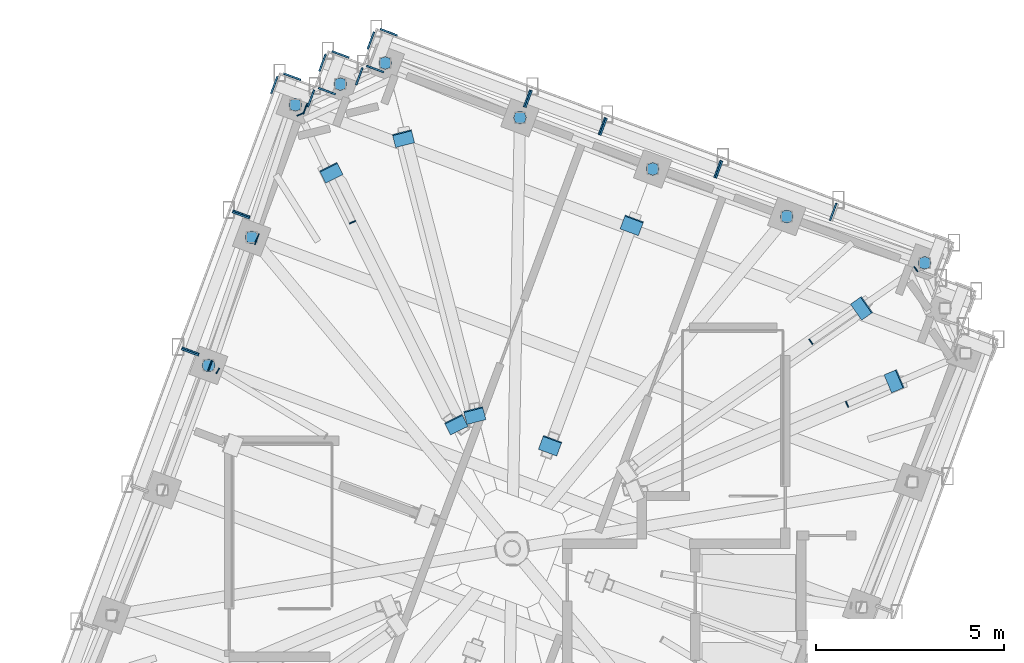
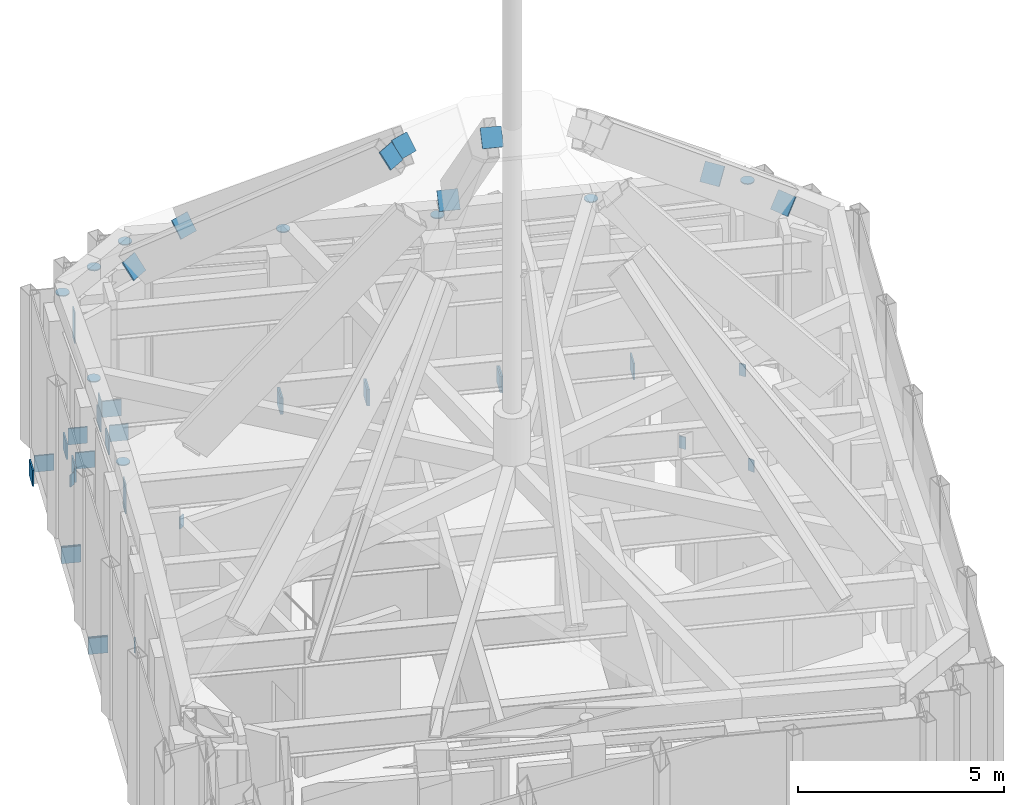
# One storey, part 11 of 14: 47 discrete accessories, 17 elements without a shape of their own.
"""IFC4 building model written with IfcOpenShell, lengths in metres."""

from ifc_helpers import new_model, si_unit, direction, frame, origin, place, context, subcontext, project, spatial, polyline, outline, extrude, material, layer, layer_set, type_object, element, aggregate, save


model = new_model("IFC4")

# Units and contexts
model_context = context("Model", 3, precision=1e-05, world=origin(), true_north=direction((0.0, 1.0)))
body_context = subcontext(model_context, "Body", "Model", "MODEL_VIEW")
ifc_project = project(units=[si_unit("LENGTHUNIT", "METRE"), si_unit("AREAUNIT", "SQUARE_METRE"), si_unit("VOLUMEUNIT", "CUBIC_METRE"), si_unit("PLANEANGLEUNIT", "RADIAN"), si_unit("MASSUNIT", "GRAM", prefix="KILO")], contexts=[model_context])

# Site, building, storey
site_placement = place(None, origin())
site = spatial("IfcSite", under=ifc_project, at=site_placement, CompositionType="ELEMENT")
building_placement = place(site_placement, origin())
building = spatial("IfcBuilding", under=site, at=building_placement, Name="Cantera Rosa Tower", CompositionType="ELEMENT")
storey_placement = place(building_placement, frame((0.0, 0.0, 374.199951171875)))
storey = spatial("IfcBuildingStorey", under=building, at=storey_placement, Name="L84", CompositionType="ELEMENT", Elevation=374.199951171875)

# Discrete accessories
ifc_material_1 = material(Name="Steel S355J2 (EN 10025-2)", Category="steel")
ifc_layer = layer(ifc_material_1, 0.030029296875)
ifc_layer_set = layer_set([ifc_layer], Name="NODE PLATE 30")
discrete_accessory_type = type_object("IfcDiscreteAccessoryType", Name="NODE PLATE 30", PredefinedType="ANCHORPLATE", material=ifc_layer_set)
discrete_accessory_1_placement = place(storey_placement, frame((0.0, 0.0, 3.345947265625)))
element("IfcDiscreteAccessory", 1, at=discrete_accessory_1_placement, inside=storey, type_object=discrete_accessory_type, Name="END PLATE RG-Z6-04B", PredefinedType="ANCHORPLATE", context=body_context, shape_type="SweptSolid", body=[
    extrude(outline(polyline([(-8.077392578125, 4.715087890625), (-8.10546875, 4.7255859375), (-7.99951171875, 5.011474609375), (-7.971435546875, 5.0009765625), (-8.077392578125, 4.715087890625)])), origin(), (0.0, 0.0, 1.0), 0.904052734375),
])
discrete_accessory_2_placement = place(storey_placement, frame((0.0, 0.0, 3.345947265625)))
element("IfcDiscreteAccessory", 2, at=discrete_accessory_2_placement, inside=storey, type_object=discrete_accessory_type, Name="END PLATE RG-Z6-05B", PredefinedType="ANCHORPLATE", context=body_context, shape_type="SweptSolid", body=[
    extrude(outline(polyline([(-6.827880859375, 8.0869140625), (-6.85595703125, 8.097412109375), (-6.75, 8.38330078125), (-6.721923828125, 8.373046875), (-6.827880859375, 8.0869140625)])), origin(), (0.0, 0.0, 1.0), 0.904052734375),
])
discrete_accessory_3_placement = place(storey_placement, frame((0.0, 0.0, 3.345947265625)))
element("IfcDiscreteAccessory", 3, at=discrete_accessory_3_placement, inside=storey, type_object=discrete_accessory_type, Name="END PLATE RG-Z6-06B", PredefinedType="ANCHORPLATE", context=body_context, shape_type="SweptSolid", body=[
    extrude(outline(polyline([(-5.5400390625, 11.56201171875), (-5.568115234375, 11.572509765625), (-5.462158203125, 11.8583984375), (-5.43408203125, 11.84814453125), (-5.5400390625, 11.56201171875)])), origin(), (0.0, 0.0, 1.0), 0.904052734375),
])

# Curtain wall, discrete accessory
ifc_material_2 = material(Name="Aluminium frame with clear glass", Category="aluminium")
curtain_wall_type = type_object("IfcCurtainWallType", Name="CW4 CROWN GLAZING", PredefinedType="NOTDEFINED", material=ifc_material_2)
curtain_wall_1_placement = place(storey_placement, origin())
curtain_wall_1 = element("IfcCurtainWall", 4, at=curtain_wall_1_placement, inside=storey, type_object=curtain_wall_type, Name="CW4 L84-01", PredefinedType="NOTDEFINED")
discrete_accessory_4_placement = place(storey_placement, frame((8.445068359375, 8.745361328125, -0.43505859375), z_axis=(-0.937742626232, 0.347330918501, 0.0), x_axis=(0.347330918501, 0.937742626232, 0.0)))
discrete_accessory_4 = element("IfcDiscreteAccessory", 5, at=discrete_accessory_4_placement, type_object=discrete_accessory_type, Name="END PLATE TE1", PredefinedType="ANCHORPLATE", context=body_context, shape_type="SweptSolid", body=[
    extrude(outline(polyline([(0.0, 0.0), (0.4800840869406107, 0.0), (0.4800840869406107, 0.47998046875), (0.0, 0.47998046875), (0.0, 0.0)])), origin(), (0.0, 0.0, -1.0), 0.0400390625),
])
aggregate(curtain_wall_1, [discrete_accessory_4])

curtain_wall_2_placement = place(storey_placement, origin())
curtain_wall_2 = element("IfcCurtainWall", 6, at=curtain_wall_2_placement, inside=storey, type_object=curtain_wall_type, Name="CW4 L84-02", PredefinedType="NOTDEFINED")
discrete_accessory_5_placement = place(storey_placement, frame((5.369384765625, 9.88525390625, -0.43505859375), z_axis=(-0.93751537431, 0.347943850259, 0.0), x_axis=(0.347943850259, 0.93751537431, 0.0)))
discrete_accessory_5 = element("IfcDiscreteAccessory", 7, at=discrete_accessory_5_placement, type_object=discrete_accessory_type, Name="END PLATE TE1", PredefinedType="ANCHORPLATE", context=body_context, shape_type="SweptSolid", body=[
    extrude(outline(polyline([(0.0, 0.0), (0.47994004600337425, 0.0), (0.47994004600337425, 0.47998046875), (0.0, 0.47998046875), (0.0, 0.0)])), origin(), (0.0, 0.0, -1.0), 0.0400390625),
])
aggregate(curtain_wall_2, [discrete_accessory_5])

# Curtain wall, discrete accessories
curtain_wall_3_placement = place(storey_placement, origin())
curtain_wall_3 = element("IfcCurtainWall", 8, at=curtain_wall_3_placement, inside=storey, type_object=curtain_wall_type, Name="CW4 L84-03", PredefinedType="NOTDEFINED")
discrete_accessory_6_placement = place(storey_placement, frame((5.611328125, 10.307373046875, -0.43505859375), z_axis=(0.937681233018, -0.347496626235, 0.0), x_axis=(-0.347496626235, -0.937681233018, 0.0)))
discrete_accessory_6 = element("IfcDiscreteAccessory", 9, at=discrete_accessory_6_placement, type_object=discrete_accessory_type, Name="END PLATE TE0", PredefinedType="ANCHORPLATE", context=body_context, shape_type="SweptSolid", body=[
    extrude(outline(polyline([(0.0, 0.0), (0.4798551533622547, 0.0), (0.4798551533622547, 0.47998046875), (0.0, 0.47998046875), (0.0, 0.0)])), origin(), (0.0, 0.0, -1.0), 0.0400390625),
])
discrete_accessory_7_placement = place(storey_placement, frame((2.2939453125, 11.02490234375, -0.43505859375), z_axis=(-0.937742626232, 0.347330918501, 0.0), x_axis=(0.347330918501, 0.937742626232, 0.0)))
discrete_accessory_7 = element("IfcDiscreteAccessory", 10, at=discrete_accessory_7_placement, type_object=discrete_accessory_type, Name="END PLATE TE1", PredefinedType="ANCHORPLATE", context=body_context, shape_type="SweptSolid", body=[
    extrude(outline(polyline([(0.0, 0.0), (0.4800840869406107, 0.0), (0.4800840869406107, 0.47998046875), (0.0, 0.47998046875), (0.0, 0.0)])), origin(), (0.0, 0.0, -1.0), 0.0400390625),
])
aggregate(curtain_wall_3, [discrete_accessory_6, discrete_accessory_7])

curtain_wall_4_placement = place(storey_placement, origin())
curtain_wall_4 = element("IfcCurtainWall", 11, at=curtain_wall_4_placement, inside=storey, type_object=curtain_wall_type, Name="CW4 L84-04", PredefinedType="NOTDEFINED")
discrete_accessory_8_placement = place(storey_placement, frame((2.53564453125, 11.447265625, -0.43505859375), z_axis=(0.937742626232, -0.347330918501, 0.0), x_axis=(-0.347330918501, -0.937742626232, 0.0)))
discrete_accessory_8 = element("IfcDiscreteAccessory", 12, at=discrete_accessory_8_placement, type_object=discrete_accessory_type, Name="END PLATE TE0", PredefinedType="ANCHORPLATE", context=body_context, shape_type="SweptSolid", body=[
    extrude(outline(polyline([(0.0, 0.0), (0.4800840869406107, 0.0), (0.4800840869406107, 0.47998046875), (0.0, 0.47998046875), (0.0, 0.0)])), origin(), (0.0, 0.0, -1.0), 0.0400390625),
])
discrete_accessory_9_placement = place(storey_placement, frame((0.299560546875, 11.763916015625, -0.43505859375), z_axis=(-0.937742626232, 0.347330918501, 0.0), x_axis=(0.347330918501, 0.937742626232, 0.0)))
discrete_accessory_9 = element("IfcDiscreteAccessory", 13, at=discrete_accessory_9_placement, type_object=discrete_accessory_type, Name="END PLATE TE1", PredefinedType="ANCHORPLATE", context=body_context, shape_type="SweptSolid", body=[
    extrude(outline(polyline([(0.0, 0.0), (0.4800840869406107, 0.0), (0.4800840869406107, 0.47998046875), (0.0, 0.47998046875), (0.0, 0.0)])), origin(), (0.0, 0.0, -1.0), 0.0400390625),
])
aggregate(curtain_wall_4, [discrete_accessory_8, discrete_accessory_9])

curtain_wall_5_placement = place(storey_placement, origin())
curtain_wall_5 = element("IfcCurtainWall", 14, at=curtain_wall_5_placement, inside=storey, type_object=curtain_wall_type, Name="CW4 L84-05", PredefinedType="NOTDEFINED")
discrete_accessory_10_placement = place(storey_placement, frame((0.541259765625, 12.186279296875, -0.43505859375), z_axis=(0.937742626232, -0.347330918501, 0.0), x_axis=(-0.347330918501, -0.937742626232, 0.0)))
discrete_accessory_10 = element("IfcDiscreteAccessory", 15, at=discrete_accessory_10_placement, type_object=discrete_accessory_type, Name="END PLATE TE0", PredefinedType="ANCHORPLATE", context=body_context, shape_type="SweptSolid", body=[
    extrude(outline(polyline([(0.0, 0.0), (0.4800840869406107, 0.0), (0.4800840869406107, 0.47998046875), (0.0, 0.47998046875), (0.0, 0.0)])), origin(), (0.0, 0.0, -1.0), 0.0400390625),
])
discrete_accessory_11_placement = place(storey_placement, frame((-3.857421875, 13.304443359375, -0.43505859375), z_axis=(-0.93751537431, 0.347943850259, 0.0), x_axis=(0.347943850259, 0.93751537431, 0.0)))
discrete_accessory_11 = element("IfcDiscreteAccessory", 16, at=discrete_accessory_11_placement, type_object=discrete_accessory_type, Name="END PLATE TE1", PredefinedType="ANCHORPLATE", context=body_context, shape_type="SweptSolid", body=[
    extrude(outline(polyline([(0.0, 0.0), (0.47994004600337425, 0.0), (0.47994004600337425, 0.47998046875), (0.0, 0.47998046875), (0.0, 0.0)])), origin(), (0.0, 0.0, -1.0), 0.0400390625),
])
aggregate(curtain_wall_5, [discrete_accessory_10, discrete_accessory_11])

curtain_wall_6_placement = place(storey_placement, origin())
curtain_wall_6 = element("IfcCurtainWall", 17, at=curtain_wall_6_placement, inside=storey, type_object=curtain_wall_type, Name="CW4 L84-06", PredefinedType="NOTDEFINED")
discrete_accessory_12_placement = place(storey_placement, frame((-3.497802734375, 13.843017578125, -0.43505859375), z_axis=(0.347330918501, 0.937742626232, 0.0), x_axis=(0.937742626232, -0.347330918501, 0.0)))
discrete_accessory_12 = element("IfcDiscreteAccessory", 18, at=discrete_accessory_12_placement, type_object=discrete_accessory_type, Name="END PLATE TE0", PredefinedType="ANCHORPLATE", context=body_context, shape_type="SweptSolid", body=[
    extrude(outline(polyline([(0.0, 0.0), (0.4800840869406107, 0.0), (0.4800840869406107, 0.47998046875), (0.0, 0.47998046875), (0.0, 0.0)])), origin(), (0.0, 0.0, -1.0), 0.0400390625),
])
discrete_accessory_13_placement = place(storey_placement, frame((-3.4228515625, 12.66357421875, -0.43505859375), z_axis=(-0.347330918501, -0.937742626232, 0.0), x_axis=(-0.937742626232, 0.347330918501, 0.0)))
discrete_accessory_13 = element("IfcDiscreteAccessory", 19, at=discrete_accessory_13_placement, type_object=discrete_accessory_type, Name="END PLATE TE1", PredefinedType="ANCHORPLATE", context=body_context, shape_type="SweptSolid", body=[
    extrude(outline(polyline([(0.0, 0.0), (0.4800840869406107, 0.0), (0.4800840869406107, 0.47998046875), (0.0, 0.47998046875), (0.0, 0.0)])), origin(), (0.0, 0.0, -1.0), 0.0400390625),
])
aggregate(curtain_wall_6, [discrete_accessory_12, discrete_accessory_13])

curtain_wall_7_placement = place(storey_placement, origin())
curtain_wall_7 = element("IfcCurtainWall", 20, at=curtain_wall_7_placement, inside=storey, type_object=curtain_wall_type, Name="CW4 L84-07", PredefinedType="NOTDEFINED")
discrete_accessory_14_placement = place(storey_placement, frame((-3.962890625, 12.7890625, -0.43505859375), z_axis=(0.937576914778, -0.347777987911, 0.0), x_axis=(-0.347777987911, -0.937576914778, 0.0)))
discrete_accessory_14 = element("IfcDiscreteAccessory", 21, at=discrete_accessory_14_placement, type_object=discrete_accessory_type, Name="END PLATE TE0", PredefinedType="ANCHORPLATE", context=body_context, shape_type="SweptSolid", body=[
    extrude(outline(polyline([(0.0, 0.0), (0.4801689391068604, 0.0), (0.4801689391068604, 0.47998046875), (0.0, 0.47998046875), (0.0, 0.0)])), origin(), (0.0, 0.0, -1.0), 0.0400390625),
])
discrete_accessory_15_placement = place(storey_placement, frame((-5.142578125, 12.714111328125, -0.43505859375), z_axis=(-0.937742626232, 0.347330918501, 0.0), x_axis=(0.347330918501, 0.937742626232, 0.0)))
discrete_accessory_15 = element("IfcDiscreteAccessory", 22, at=discrete_accessory_15_placement, type_object=discrete_accessory_type, Name="END PLATE TE1", PredefinedType="ANCHORPLATE", context=body_context, shape_type="SweptSolid", body=[
    extrude(outline(polyline([(0.0, 0.0), (0.4800840869406107, 0.0), (0.4800840869406107, 0.47998046875), (0.0, 0.47998046875), (0.0, 0.0)])), origin(), (0.0, 0.0, -1.0), 0.0400390625),
])
aggregate(curtain_wall_7, [discrete_accessory_14, discrete_accessory_15])

curtain_wall_8_placement = place(storey_placement, origin())
curtain_wall_8 = element("IfcCurtainWall", 23, at=curtain_wall_8_placement, inside=storey, type_object=curtain_wall_type, Name="CW4 L84-08", PredefinedType="NOTDEFINED")
discrete_accessory_16_placement = place(storey_placement, frame((-4.782958984375, 13.252685546875, -0.43505859375), z_axis=(0.347330918501, 0.937742626232, 0.0), x_axis=(0.937742626232, -0.347330918501, 0.0)))
discrete_accessory_16 = element("IfcDiscreteAccessory", 24, at=discrete_accessory_16_placement, type_object=discrete_accessory_type, Name="END PLATE TE0", PredefinedType="ANCHORPLATE", context=body_context, shape_type="SweptSolid", body=[
    extrude(outline(polyline([(0.0, 0.0), (0.4800840869406107, 0.0), (0.4800840869406107, 0.47998046875), (0.0, 0.47998046875), (0.0, 0.0)])), origin(), (0.0, 0.0, -1.0), 0.0400390625),
])
discrete_accessory_17_placement = place(storey_placement, frame((-4.7080078125, 12.0732421875, -0.43505859375), z_axis=(-0.347330918501, -0.937742626232, 0.0), x_axis=(-0.937742626232, 0.347330918501, 0.0)))
discrete_accessory_17 = element("IfcDiscreteAccessory", 25, at=discrete_accessory_17_placement, type_object=discrete_accessory_type, Name="END PLATE TE1", PredefinedType="ANCHORPLATE", context=body_context, shape_type="SweptSolid", body=[
    extrude(outline(polyline([(0.0, 0.0), (0.4800840869406107, 0.0), (0.4800840869406107, 0.47998046875), (0.0, 0.47998046875), (0.0, 0.0)])), origin(), (0.0, 0.0, -1.0), 0.0400390625),
])
aggregate(curtain_wall_8, [discrete_accessory_16, discrete_accessory_17])

curtain_wall_9_placement = place(storey_placement, origin())
curtain_wall_9 = element("IfcCurtainWall", 26, at=curtain_wall_9_placement, inside=storey, type_object=curtain_wall_type, Name="CW4 L84-09", PredefinedType="NOTDEFINED")
discrete_accessory_18_placement = place(storey_placement, frame((-5.248291015625, 12.19873046875, -0.43505859375), z_axis=(0.937681233018, -0.347496626235, 0.0), x_axis=(-0.347496626235, -0.937681233018, 0.0)))
discrete_accessory_18 = element("IfcDiscreteAccessory", 27, at=discrete_accessory_18_placement, type_object=discrete_accessory_type, Name="END PLATE TE0", PredefinedType="ANCHORPLATE", context=body_context, shape_type="SweptSolid", body=[
    extrude(outline(polyline([(0.0, 0.0), (0.4798551533622547, 0.0), (0.4798551533622547, 0.47998046875), (0.0, 0.47998046875), (0.0, 0.0)])), origin(), (0.0, 0.0, -1.0), 0.0400390625),
])
discrete_accessory_19_placement = place(storey_placement, frame((-6.427734375, 12.1240234375, -0.43505859375), z_axis=(-0.937681233018, 0.347496626235, 0.0), x_axis=(0.347496626235, 0.937681233018, 0.0)))
discrete_accessory_19 = element("IfcDiscreteAccessory", 28, at=discrete_accessory_19_placement, type_object=discrete_accessory_type, Name="END PLATE TE1", PredefinedType="ANCHORPLATE", context=body_context, shape_type="SweptSolid", body=[
    extrude(outline(polyline([(0.0, 0.0), (0.4798551533622547, 0.0), (0.4798551533622547, 0.47998046875), (0.0, 0.47998046875), (0.0, 0.0)])), origin(), (0.0, 0.0, -1.0), 0.0400390625),
])
aggregate(curtain_wall_9, [discrete_accessory_18, discrete_accessory_19])

curtain_wall_10_placement = place(storey_placement, origin())
curtain_wall_10 = element("IfcCurtainWall", 29, at=curtain_wall_10_placement, inside=storey, type_object=curtain_wall_type, Name="CW4 L84-10", PredefinedType="NOTDEFINED")
discrete_accessory_20_placement = place(storey_placement, frame((-6.068115234375, 12.66259765625, -0.43505859375), z_axis=(0.347330918501, 0.937742626232, 0.0), x_axis=(0.937742626232, -0.347330918501, 0.0)))
discrete_accessory_20 = element("IfcDiscreteAccessory", 30, at=discrete_accessory_20_placement, type_object=discrete_accessory_type, Name="END PLATE TE0", PredefinedType="ANCHORPLATE", context=body_context, shape_type="SweptSolid", body=[
    extrude(outline(polyline([(0.0, 0.0), (0.4800840869406107, 0.0), (0.4800840869406107, 0.47998046875), (0.0, 0.47998046875), (0.0, 0.0)])), origin(), (0.0, 0.0, -1.0), 0.0400390625),
])
discrete_accessory_21_placement = place(storey_placement, frame((-6.99755859375, 8.773193359375, -0.43505859375), z_axis=(-0.347496626235, -0.937681233018, 0.0), x_axis=(-0.937681233018, 0.347496626235, 0.0)))
discrete_accessory_21 = element("IfcDiscreteAccessory", 31, at=discrete_accessory_21_placement, type_object=discrete_accessory_type, Name="END PLATE TE1", PredefinedType="ANCHORPLATE", context=body_context, shape_type="SweptSolid", body=[
    extrude(outline(polyline([(0.0, 0.0), (0.4798551533622547, 0.0), (0.4798551533622547, 0.47998046875), (0.0, 0.47998046875), (0.0, 0.0)])), origin(), (0.0, 0.0, -1.0), 0.0400390625),
])
aggregate(curtain_wall_10, [discrete_accessory_20, discrete_accessory_21])

curtain_wall_11_placement = place(storey_placement, origin())
curtain_wall_11 = element("IfcCurtainWall", 32, at=curtain_wall_11_placement, inside=storey, type_object=curtain_wall_type, Name="CW4 L84-11", PredefinedType="NOTDEFINED")
discrete_accessory_22_placement = place(storey_placement, frame((-7.419921875, 9.014892578125, -0.43505859375), z_axis=(0.347330918501, 0.937742626232, 0.0), x_axis=(0.937742626232, -0.347330918501, 0.0)))
discrete_accessory_22 = element("IfcDiscreteAccessory", 33, at=discrete_accessory_22_placement, type_object=discrete_accessory_type, Name="END PLATE TE0", PredefinedType="ANCHORPLATE", context=body_context, shape_type="SweptSolid", body=[
    extrude(outline(polyline([(0.0, 0.0), (0.4800840869406107, 0.0), (0.4800840869406107, 0.47998046875), (0.0, 0.47998046875), (0.0, 0.0)])), origin(), (0.0, 0.0, -1.0), 0.0400390625),
])
discrete_accessory_23_placement = place(storey_placement, frame((-8.34912109375, 5.12548828125, -0.43505859375), z_axis=(-0.347777987911, -0.937576914778, 0.0), x_axis=(-0.937576914778, 0.347777987911, 0.0)))
discrete_accessory_23 = element("IfcDiscreteAccessory", 34, at=discrete_accessory_23_placement, type_object=discrete_accessory_type, Name="END PLATE TE1", PredefinedType="ANCHORPLATE", context=body_context, shape_type="SweptSolid", body=[
    extrude(outline(polyline([(0.0, 0.0), (0.4801689391068604, 0.0), (0.4801689391068604, 0.47998046875), (0.0, 0.47998046875), (0.0, 0.0)])), origin(), (0.0, 0.0, -1.0), 0.0400390625),
])
aggregate(curtain_wall_11, [discrete_accessory_22, discrete_accessory_23])

# Curtain wall, discrete accessory
curtain_wall_12_placement = place(storey_placement, origin())
curtain_wall_12 = element("IfcCurtainWall", 35, at=curtain_wall_12_placement, inside=storey, type_object=curtain_wall_type, Name="CW4 L84-12", PredefinedType="NOTDEFINED")
discrete_accessory_24_placement = place(storey_placement, frame((-8.771484375, 5.367431640625, -0.43505859375), z_axis=(0.347496626235, 0.937681233018, 0.0), x_axis=(0.937681233018, -0.347496626235, 0.0)))
discrete_accessory_24 = element("IfcDiscreteAccessory", 36, at=discrete_accessory_24_placement, type_object=discrete_accessory_type, Name="END PLATE TE0", PredefinedType="ANCHORPLATE", context=body_context, shape_type="SweptSolid", body=[
    extrude(outline(polyline([(0.0, 0.0), (0.4798551533622547, 0.0), (0.4798551533622547, 0.47998046875), (0.0, 0.47998046875), (0.0, 0.0)])), origin(), (0.0, 0.0, -1.0), 0.0400390625),
])
aggregate(curtain_wall_12, [discrete_accessory_24])

curtain_wall_13_placement = place(storey_placement, origin())
curtain_wall_13 = element("IfcCurtainWall", 37, at=curtain_wall_13_placement, inside=storey, type_object=curtain_wall_type, Name="CW4 L84-06", PredefinedType="NOTDEFINED")
discrete_accessory_25_placement = place(storey_placement, frame((10.204833984375, 4.752685546875, 6.533935546875), z_axis=(-0.710406879892, -0.30104442488, 0.636155892255), x_axis=(0.390176020892, -0.920740285162, 0.0)))
discrete_accessory_25 = element("IfcDiscreteAccessory", 38, at=discrete_accessory_25_placement, type_object=discrete_accessory_type, Name="END PLATE RE0", PredefinedType="ANCHORPLATE", context=body_context, shape_type="SweptSolid", body=[
    extrude(outline(polyline([(0.0, 0.0), (0.5199726495519197, -2.7755575615628914e-17), (0.5200048606791708, -0.5202018014376186), (3.2211127251227656e-05, -0.5202018014376186), (0.0, 0.0)])), origin(), (0.0, 0.0, -1.0), 0.0400390625),
])
aggregate(curtain_wall_13, [discrete_accessory_25])

curtain_wall_14_placement = place(storey_placement, origin())
curtain_wall_14 = element("IfcCurtainWall", 39, at=curtain_wall_14_placement, inside=storey, type_object=curtain_wall_type, Name="CW4 L84-07", PredefinedType="NOTDEFINED")
discrete_accessory_26_placement = place(storey_placement, frame((9.275146484375, 6.69287109375, 6.523193359375), z_axis=(-0.637025198921, -0.444495545211, 0.629779807733), x_axis=(0.572232994643, -0.820091092405, 0.0)))
discrete_accessory_26 = element("IfcDiscreteAccessory", 40, at=discrete_accessory_26_placement, type_object=discrete_accessory_type, Name="END PLATE RE0", PredefinedType="ANCHORPLATE", context=body_context, shape_type="SweptSolid", body=[
    extrude(outline(polyline([(0.0, 0.0), (0.5200808493411186, 0.0), (0.519971858561602, -0.5198535808820163), (-0.00010899077951671856, -0.5198535808820163), (0.0, 0.0)])), origin(), (0.0, 0.0, -1.0), 0.0400390625),
])
aggregate(curtain_wall_14, [discrete_accessory_26])

# Curtain wall, discrete accessories
curtain_wall_15_placement = place(storey_placement, origin())
curtain_wall_15 = element("IfcCurtainWall", 41, at=curtain_wall_15_placement, inside=storey, type_object=curtain_wall_type, Name="CW4 L84-08", PredefinedType="NOTDEFINED")
discrete_accessory_27_placement = place(storey_placement, frame((3.0029296875, 8.851318359375, 6.53564453125), z_axis=(-0.24730085436, -0.667378116429, 0.702459064391), x_axis=(0.937692107677, -0.347467280762, 0.0)))
discrete_accessory_27 = element("IfcDiscreteAccessory", 42, at=discrete_accessory_27_placement, type_object=discrete_accessory_type, Name="END PLATE RE0", PredefinedType="ANCHORPLATE", context=body_context, shape_type="SweptSolid", body=[
    extrude(outline(polyline([(0.0, 0.0), (0.5199455387683067, 0.0), (0.5199203187772252, -0.5200289867034431), (-2.521999108147377e-05, -0.5200289867034431), (0.0, 0.0)])), origin(), (0.0, 0.0, -1.0), 0.0400390625),
])
discrete_accessory_28_placement = place(storey_placement, frame((1.317138671875, 2.80615234375, 12.707763671875), z_axis=(-0.24730085436, -0.667378116429, 0.702459064391), x_axis=(-0.937692107677, 0.347467280762, 0.0)))
discrete_accessory_28 = element("IfcDiscreteAccessory", 43, at=discrete_accessory_28_placement, type_object=discrete_accessory_type, Name="END PLATE RE1", PredefinedType="ANCHORPLATE", context=body_context, shape_type="SweptSolid", body=[
    extrude(outline(polyline([(0.0, 0.0), (0.5199455387683067, 0.0), (0.5199707587593881, 0.5200289867034431), (2.521999108147377e-05, 0.5200289867034431), (0.0, 0.0)])), origin(), (0.0, 0.0, -1.0), 0.0400390625),
])
aggregate(curtain_wall_15, [discrete_accessory_27, discrete_accessory_28])

curtain_wall_16_placement = place(storey_placement, origin())
curtain_wall_16 = element("IfcCurtainWall", 44, at=curtain_wall_16_placement, inside=storey, type_object=curtain_wall_type, Name="CW4 L84-09", PredefinedType="NOTDEFINED")
discrete_accessory_29_placement = place(storey_placement, frame((-3.177490234375, 10.9912109375, 6.523193359375), z_axis=(0.193647041275, -0.752160117945, 0.629885688342), x_axis=(0.968425876015, 0.249301668355, -2.8629497e-05)))
discrete_accessory_29 = element("IfcDiscreteAccessory", 45, at=discrete_accessory_29_placement, type_object=discrete_accessory_type, Name="END PLATE RE0", PredefinedType="ANCHORPLATE", context=body_context, shape_type="SweptSolid", body=[
    extrude(outline(polyline([(0.0, 0.0), (0.5200785566689008, 1.3877787807814457e-17), (0.5199952384520375, -0.5198918789872068), (0.0001531138817733166, -0.5199302115113793), (0.0, 0.0)])), origin(), (0.0, 0.0, -1.0), 0.0400390625),
])
discrete_accessory_30_placement = place(storey_placement, frame((-0.776123046875, 3.7509765625, 12.6923828125), z_axis=(0.193610161907, -0.752199178934, 0.62985037939), x_axis=(-0.968434676639, -0.249267480996, 0.0)))
discrete_accessory_30 = element("IfcDiscreteAccessory", 46, at=discrete_accessory_30_placement, type_object=discrete_accessory_type, Name="END PLATE RE1", PredefinedType="ANCHORPLATE", context=body_context, shape_type="SweptSolid", body=[
    extrude(outline(polyline([(0.0, 0.0), (0.5200785572061094, 0.0), (0.5201618764973036, 0.519891879524436), (8.331929119417825e-05, 0.519891879524436), (0.0, 0.0)])), origin(), (0.0, 0.0, -1.0), 0.0400390625),
])
aggregate(curtain_wall_16, [discrete_accessory_29, discrete_accessory_30])

curtain_wall_17_placement = place(storey_placement, origin())
curtain_wall_17 = element("IfcCurtainWall", 47, at=curtain_wall_17_placement, inside=storey, type_object=curtain_wall_type, Name="CW4 L84-10", PredefinedType="NOTDEFINED")
discrete_accessory_31_placement = place(storey_placement, frame((-5.109375, 10.02392578125, 6.533935546875), z_axis=(0.342725585837, -0.691428943521, 0.635975776956), x_axis=(0.895989773487, 0.444074681996, -5.1152586e-05)))
discrete_accessory_31 = element("IfcDiscreteAccessory", 48, at=discrete_accessory_31_placement, type_object=discrete_accessory_type, Name="END PLATE RE0", PredefinedType="ANCHORPLATE", context=body_context, shape_type="SweptSolid", body=[
    extrude(outline(polyline([(0.0, 0.0), (0.5201511539929677, 0.0), (0.5200210965644722, -0.52006725034877), (8.869007479706412e-05, -0.5201361920901104), (0.0, 0.0)])), origin(), (0.0, 0.0, -1.0), 0.0400390625),
])
discrete_accessory_32_placement = place(storey_placement, frame((-1.319091796875, 3.549072265625, 12.703369140625), z_axis=(0.342817263482, -0.69161389784, 0.635725208068), x_axis=(-0.895952336771, -0.444150208394, -5.1167628e-05)))
discrete_accessory_32 = element("IfcDiscreteAccessory", 49, at=discrete_accessory_32_placement, type_object=discrete_accessory_type, Name="END PLATE RE1", PredefinedType="ANCHORPLATE", context=body_context, shape_type="SweptSolid", body=[
    extrude(outline(polyline([(0.0, 0.0), (0.519932411059526, 2.7755575615628914e-17), (0.5200229794095849, 0.5199281615029451), (-0.0001281700134106496, 0.519997105075183), (0.0, 0.0)])), origin(), (0.0, 0.0, -1.0), 0.0400390625),
])
aggregate(curtain_wall_17, [discrete_accessory_31, discrete_accessory_32])

# Discrete accessories
discrete_accessory_33_placement = place(storey_placement, frame((0.0, 0.0, 4.78515625)))
element("IfcDiscreteAccessory", 50, at=discrete_accessory_33_placement, inside=storey, type_object=discrete_accessory_type, Name="NODE PLATE 17", PredefinedType="ANCHORPLATE", context=body_context, shape_type="SweptSolid", body=[
    extrude(outline(polyline([(11.152099609375, 7.604248046875), (11.13916015625, 7.669189453125), (11.102294921875, 7.724365234375), (11.04736328125, 7.76123046875), (10.982177734375, 7.774169921875), (10.917236328125, 7.76123046875), (10.862060546875, 7.724365234375), (10.8251953125, 7.669189453125), (10.812255859375, 7.604248046875), (10.8251953125, 7.5390625), (10.862060546875, 7.484130859375), (10.917236328125, 7.447265625), (10.982177734375, 7.434326171875), (11.04736328125, 7.447265625), (11.102294921875, 7.484130859375), (11.13916015625, 7.5390625), (11.152099609375, 7.604248046875)])), origin(), (0.0, 0.0, 1.0), 0.02978515625),
])
discrete_accessory_34_placement = place(storey_placement, frame((0.0, 0.0, 4.78515625)))
element("IfcDiscreteAccessory", 51, at=discrete_accessory_34_placement, inside=storey, type_object=discrete_accessory_type, Name="NODE PLATE 18", PredefinedType="ANCHORPLATE", context=body_context, shape_type="SweptSolid", body=[
    extrude(outline(polyline([(7.483154296875, 8.837890625), (7.47021484375, 8.90283203125), (7.433349609375, 8.9580078125), (7.378173828125, 8.994873046875), (7.31298828125, 9.0078125), (7.248046875, 8.994873046875), (7.19287109375, 8.9580078125), (7.156005859375, 8.90283203125), (7.14306640625, 8.837890625), (7.156005859375, 8.772705078125), (7.19287109375, 8.717529296875), (7.248046875, 8.6806640625), (7.31298828125, 8.667724609375), (7.378173828125, 8.6806640625), (7.433349609375, 8.717529296875), (7.47021484375, 8.772705078125), (7.483154296875, 8.837890625)])), origin(), (0.0, 0.0, 1.0), 0.02978515625),
])
discrete_accessory_35_placement = place(storey_placement, frame((0.0, 0.0, 4.78515625)))
element("IfcDiscreteAccessory", 52, at=discrete_accessory_35_placement, inside=storey, type_object=discrete_accessory_type, Name="NODE PLATE 19", PredefinedType="ANCHORPLATE", context=body_context, shape_type="SweptSolid", body=[
    extrude(outline(polyline([(3.9140625, 10.103515625), (3.901123046875, 10.168701171875), (3.8642578125, 10.223876953125), (3.80908203125, 10.2607421875), (3.744140625, 10.273681640625), (3.678955078125, 10.2607421875), (3.6240234375, 10.223876953125), (3.587158203125, 10.168701171875), (3.57421875, 10.103515625), (3.587158203125, 10.03857421875), (3.6240234375, 9.9833984375), (3.678955078125, 9.946533203125), (3.744140625, 9.93359375), (3.80908203125, 9.946533203125), (3.8642578125, 9.9833984375), (3.901123046875, 10.03857421875), (3.9140625, 10.103515625)])), origin(), (0.0, 0.0, 1.0), 0.02978515625),
])
discrete_accessory_36_placement = place(storey_placement, frame((0.0, 0.0, 4.78515625)))
element("IfcDiscreteAccessory", 53, at=discrete_accessory_36_placement, inside=storey, type_object=discrete_accessory_type, Name="NODE PLATE 20", PredefinedType="ANCHORPLATE", context=body_context, shape_type="SweptSolid", body=[
    extrude(outline(polyline([(0.382080078125, 11.46923828125), (0.369140625, 11.5341796875), (0.332275390625, 11.58935546875), (0.277099609375, 11.626220703125), (0.212158203125, 11.63916015625), (0.14697265625, 11.626220703125), (0.092041015625, 11.58935546875), (0.05517578125, 11.5341796875), (0.042236328125, 11.46923828125), (0.05517578125, 11.404052734375), (0.092041015625, 11.34912109375), (0.14697265625, 11.312255859375), (0.212158203125, 11.29931640625), (0.277099609375, 11.312255859375), (0.332275390625, 11.34912109375), (0.369140625, 11.404052734375), (0.382080078125, 11.46923828125)])), origin(), (0.0, 0.0, 1.0), 0.02978515625),
])
discrete_accessory_37_placement = place(storey_placement, frame((0.0, 0.0, 4.78515625)))
element("IfcDiscreteAccessory", 54, at=discrete_accessory_37_placement, inside=storey, type_object=discrete_accessory_type, Name="NODE PLATE 21", PredefinedType="ANCHORPLATE", context=body_context, shape_type="SweptSolid", body=[
    extrude(outline(polyline([(-3.204833984375, 12.924560546875), (-3.2177734375, 12.989501953125), (-3.254638671875, 13.044677734375), (-3.309814453125, 13.08154296875), (-3.374755859375, 13.094482421875), (-3.43994140625, 13.08154296875), (-3.4951171875, 13.044677734375), (-3.531982421875, 12.989501953125), (-3.544921875, 12.924560546875), (-3.531982421875, 12.859375), (-3.4951171875, 12.804443359375), (-3.43994140625, 12.767578125), (-3.374755859375, 12.754638671875), (-3.309814453125, 12.767578125), (-3.254638671875, 12.804443359375), (-3.2177734375, 12.859375), (-3.204833984375, 12.924560546875)])), origin(), (0.0, 0.0, 1.0), 0.02978515625),
])
discrete_accessory_38_placement = place(storey_placement, frame((0.0, 0.0, 4.78515625)))
element("IfcDiscreteAccessory", 55, at=discrete_accessory_38_placement, inside=storey, type_object=discrete_accessory_type, Name="NODE PLATE 22", PredefinedType="ANCHORPLATE", context=body_context, shape_type="SweptSolid", body=[
    extrude(outline(polyline([(-4.400634765625, 12.362548828125), (-4.41357421875, 12.427490234375), (-4.450439453125, 12.482666015625), (-4.505615234375, 12.51953125), (-4.570556640625, 12.532470703125), (-4.635498046875, 12.51953125), (-4.690673828125, 12.482666015625), (-4.7275390625, 12.427490234375), (-4.740478515625, 12.362548828125), (-4.7275390625, 12.29736328125), (-4.690673828125, 12.2421875), (-4.635498046875, 12.205322265625), (-4.570556640625, 12.1923828125), (-4.505615234375, 12.205322265625), (-4.450439453125, 12.2421875), (-4.41357421875, 12.29736328125), (-4.400634765625, 12.362548828125)])), origin(), (0.0, 0.0, 1.0), 0.02978515625),
])
discrete_accessory_39_placement = place(storey_placement, frame((0.0, 0.0, 4.78515625)))
element("IfcDiscreteAccessory", 56, at=discrete_accessory_39_placement, inside=storey, type_object=discrete_accessory_type, Name="NODE PLATE 23", PredefinedType="ANCHORPLATE", context=body_context, shape_type="SweptSolid", body=[
    extrude(outline(polyline([(-5.59814453125, 11.809814453125), (-5.611083984375, 11.874755859375), (-5.64794921875, 11.929931640625), (-5.703125, 11.966796875), (-5.768310546875, 11.979736328125), (-5.833251953125, 11.966796875), (-5.888427734375, 11.929931640625), (-5.92529296875, 11.874755859375), (-5.938232421875, 11.809814453125), (-5.92529296875, 11.74462890625), (-5.888427734375, 11.689453125), (-5.833251953125, 11.652587890625), (-5.768310546875, 11.6396484375), (-5.703125, 11.652587890625), (-5.64794921875, 11.689453125), (-5.611083984375, 11.74462890625), (-5.59814453125, 11.809814453125)])), origin(), (0.0, 0.0, 1.0), 0.02978515625),
])
discrete_accessory_40_placement = place(storey_placement, frame((0.0, 0.0, 4.78515625)))
element("IfcDiscreteAccessory", 57, at=discrete_accessory_40_placement, inside=storey, type_object=discrete_accessory_type, Name="NODE PLATE 24", PredefinedType="ANCHORPLATE", context=body_context, shape_type="SweptSolid", body=[
    extrude(outline(polyline([(-6.757568359375, 8.286865234375), (-6.7705078125, 8.351806640625), (-6.807373046875, 8.406982421875), (-6.862548828125, 8.44384765625), (-6.927490234375, 8.456787109375), (-6.99267578125, 8.44384765625), (-7.0478515625, 8.406982421875), (-7.084716796875, 8.351806640625), (-7.09765625, 8.286865234375), (-7.084716796875, 8.2216796875), (-7.0478515625, 8.166748046875), (-6.99267578125, 8.1298828125), (-6.927490234375, 8.116943359375), (-6.862548828125, 8.1298828125), (-6.807373046875, 8.166748046875), (-6.7705078125, 8.2216796875), (-6.757568359375, 8.286865234375)])), origin(), (0.0, 0.0, 1.0), 0.02978515625),
])
discrete_accessory_41_placement = place(storey_placement, frame((0.0, 0.0, 4.78515625)))
element("IfcDiscreteAccessory", 58, at=discrete_accessory_41_placement, inside=storey, type_object=discrete_accessory_type, Name="NODE PLATE 25", PredefinedType="ANCHORPLATE", context=body_context, shape_type="SweptSolid", body=[
    extrude(outline(polyline([(-7.9052734375, 4.876953125), (-7.918212890625, 4.942138671875), (-7.955078125, 4.997314453125), (-8.01025390625, 5.033935546875), (-8.075439453125, 5.046875), (-8.140380859375, 5.033935546875), (-8.195556640625, 4.997314453125), (-8.232421875, 4.942138671875), (-8.245361328125, 4.876953125), (-8.232421875, 4.81201171875), (-8.195556640625, 4.7568359375), (-8.140380859375, 4.719970703125), (-8.075439453125, 4.70703125), (-8.01025390625, 4.719970703125), (-7.955078125, 4.7568359375), (-7.918212890625, 4.81201171875), (-7.9052734375, 4.876953125)])), origin(), (0.0, 0.0, 1.0), 0.02978515625),
])
discrete_accessory_42_placement = place(storey_placement, frame((0.0, 0.0, -0.805908203125)))
element("IfcDiscreteAccessory", 59, at=discrete_accessory_42_placement, inside=storey, type_object=discrete_accessory_type, Name="END PLATE CG-Z6-01 L84 A", PredefinedType="ANCHORPLATE", context=body_context, shape_type="SweptSolid", body=[
    extrude(outline(polyline([(10.686767578125, 7.503662109375), (10.711669921875, 7.520751953125), (10.808837890625, 7.380126953125), (10.7841796875, 7.363037109375), (10.686767578125, 7.503662109375)])), origin(), (0.0, 0.0, 1.0), 0.35595703125),
])
discrete_accessory_43_placement = place(storey_placement, frame((0.0, 0.0, -0.805908203125)))
element("IfcDiscreteAccessory", 60, at=discrete_accessory_43_placement, inside=storey, type_object=discrete_accessory_type, Name="END PLATE CG-Z6-01 L84 B", PredefinedType="ANCHORPLATE", context=body_context, shape_type="SweptSolid", body=[
    extrude(outline(polyline([(8.016845703125, 5.447021484375), (7.9921875, 5.429931640625), (7.894775390625, 5.570556640625), (7.91943359375, 5.587646484375), (8.016845703125, 5.447021484375)])), origin(), (0.0, 0.0, 1.0), 0.35595703125),
])
discrete_accessory_44_placement = place(storey_placement, frame((0.0, 0.0, -0.805908203125)))
element("IfcDiscreteAccessory", 61, at=discrete_accessory_44_placement, inside=storey, type_object=discrete_accessory_type, Name="END PLATE CG-Z6-02 L84 A", PredefinedType="ANCHORPLATE", context=body_context, shape_type="SweptSolid", body=[
    extrude(outline(polyline([(-5.71337890625, 11.502685546875), (-5.7265625, 11.529541015625), (-5.572998046875, 11.6044921875), (-5.559814453125, 11.57763671875), (-5.71337890625, 11.502685546875)])), origin(), (0.0, 0.0, 1.0), 0.35595703125),
])
discrete_accessory_45_placement = place(storey_placement, frame((0.0, 0.0, -0.805908203125)))
element("IfcDiscreteAccessory", 62, at=discrete_accessory_45_placement, inside=storey, type_object=discrete_accessory_type, Name="END PLATE CG-Z6-02 L84 B", PredefinedType="ANCHORPLATE", context=body_context, shape_type="SweptSolid", body=[
    extrude(outline(polyline([(-4.172607421875, 8.73779296875), (-4.159423828125, 8.710693359375), (-4.31298828125, 8.6357421875), (-4.326171875, 8.66259765625), (-4.172607421875, 8.73779296875)])), origin(), (0.0, 0.0, 1.0), 0.35595703125),
])
discrete_accessory_46_placement = place(storey_placement, frame((0.0, 0.0, -0.805908203125)))
element("IfcDiscreteAccessory", 63, at=discrete_accessory_46_placement, inside=storey, type_object=discrete_accessory_type, Name="END PLATE CG-Z6-03 L84 A", PredefinedType="ANCHORPLATE", context=body_context, shape_type="SweptSolid", body=[
    extrude(outline(polyline([(-7.86279296875, 4.648681640625), (-7.888427734375, 4.664306640625), (-7.800048828125, 4.810546875), (-7.7744140625, 4.795166015625), (-7.86279296875, 4.648681640625)])), origin(), (0.0, 0.0, 1.0), 0.35595703125),
])
discrete_accessory_47_placement = place(storey_placement, frame((0.0, 0.0, -0.805908203125)))
element("IfcDiscreteAccessory", 64, at=discrete_accessory_47_placement, inside=storey, type_object=discrete_accessory_type, Name="END PLATE CG-Z6-09 L84 B", PredefinedType="ANCHORPLATE", context=body_context, shape_type="SweptSolid", body=[
    extrude(outline(polyline([(8.96630859375, 3.7685546875), (8.938720703125, 3.756591796875), (8.87109375, 3.913818359375), (8.898681640625, 3.925537109375), (8.96630859375, 3.7685546875)])), origin(), (0.0, 0.0, 1.0), 0.35595703125),
])

save(model, "model.ifc")
